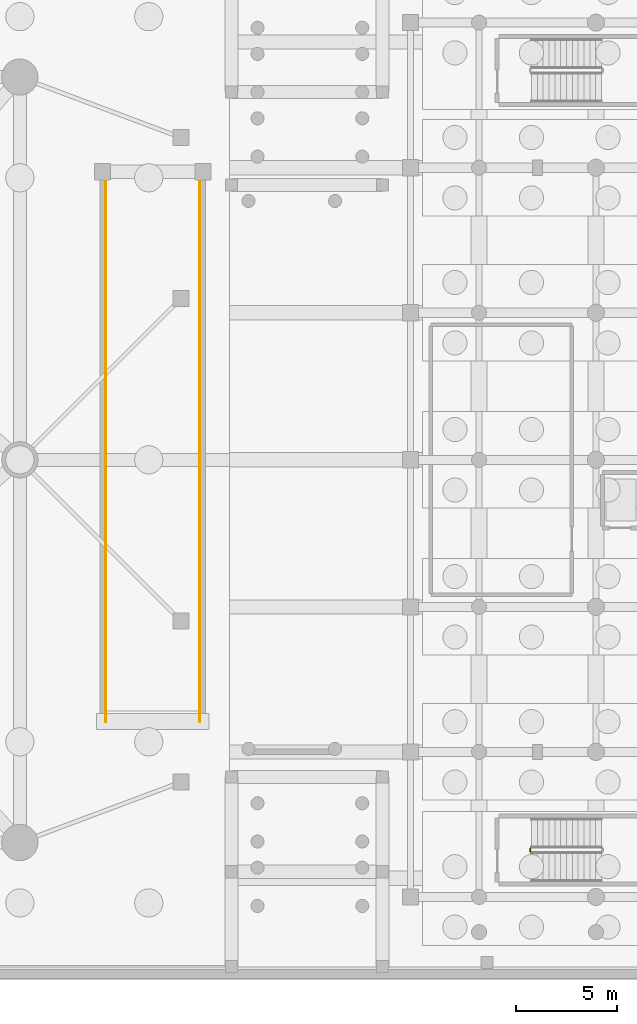
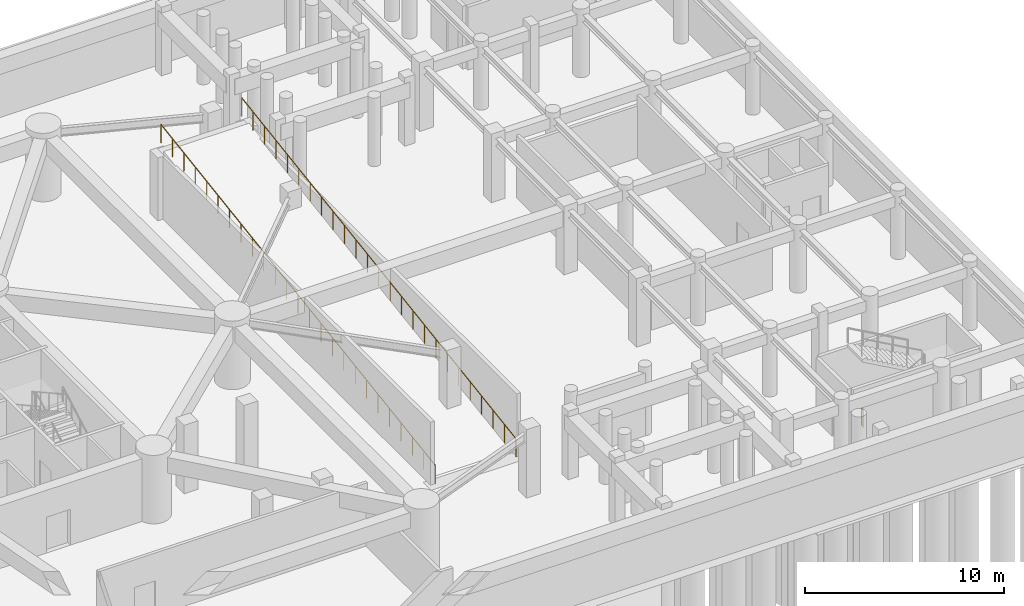
# One storey, part 10 of 13: 3 railings.
"""IFC4 building model written with IfcOpenShell, lengths in metres."""

from ifc_helpers import new_model, si_unit, direction, frame, origin, origin_2d, place, context, subcontext, project, spatial, circle, extrude, material, layer, layer_set, type_object, element, save


model = new_model("IFC4")

# Units and contexts
model_context = context("Model", 3, precision=1e-05, world=origin(), true_north=direction((0.0, 1.0)))
body_context = subcontext(model_context, "Body", "Model", "MODEL_VIEW")
ifc_project = project(units=[si_unit("LENGTHUNIT", "METRE"), si_unit("AREAUNIT", "SQUARE_METRE"), si_unit("VOLUMEUNIT", "CUBIC_METRE"), si_unit("PLANEANGLEUNIT", "RADIAN"), si_unit("MASSUNIT", "GRAM", prefix="KILO")], contexts=[model_context])

# Site, building, storey
site_placement = place(None, origin())
site = spatial("IfcSite", under=ifc_project, at=site_placement, CompositionType="ELEMENT")
building_placement = place(site_placement, origin())
building = spatial("IfcBuilding", under=site, at=building_placement, Name="Karkom Vertical University and Central Library", CompositionType="ELEMENT")
storey_placement = place(building_placement, frame((0.0, 0.0, -8.39990234375)))
storey = spatial("IfcBuildingStorey", under=building, at=storey_placement, Name="B02", CompositionType="ELEMENT", Elevation=-8.39990234375)

# Railings
ifc_material = material(Name="Painted galvanised steel balustrade", Category="steel")
ifc_layer = layer(ifc_material, 0.06005859375)
ifc_layer_set = layer_set([ifc_layer], Name="Painted galvanised steel balustrade")
railing_type = type_object("IfcRailingType", Name="INT-RL-GUARD1100", PredefinedType="GUARDRAIL", material=ifc_layer_set)
railing_1_placement = place(storey_placement, frame((72.14990234375, 7.050048828125, 0.0)))
element("IfcRailing", 1, at=railing_1_placement, inside=storey, type_object=railing_type, Name="Basement 02 LIB-ST1 stair guard 4", PredefinedType="GUARDRAIL", context=body_context, shape_type="SweptSolid", body=[
    extrude(circle(Radius=0.02392578125, at=origin_2d()), frame((0.0, 0.0, 1.076171875), z_axis=(0.0, 1.0, 0.0), x_axis=(-1.0, 0.0, 0.0)), (0.0, 0.0, 1.0), 0.159912109375),
    extrude(circle(Radius=0.02099609375, at=origin_2d()), origin(), (0.0, 0.0, 1.0), 1.052001953125),
    extrude(circle(Radius=0.02099609375, at=origin_2d()), frame((0.0, 0.159912109375, 0.0)), (0.0, 0.0, 1.0), 1.052001953125),
])
railing_2_placement = place(storey_placement, frame((51.06005859375, 13.5, 0.0)))
element("IfcRailing", 2, at=railing_2_placement, inside=storey, type_object=railing_type, Name="Basement 02 Car Park Vehicle Ramp VR-1 Flight 1 Side Safety Guard W", PredefinedType="GUARDRAIL", context=body_context, shape_type="SweptSolid", body=[
    extrude(circle(Radius=0.02392578125, at=origin_2d()), frame((0.0, 0.0, 1.1259765625), z_axis=(0.0, 0.98857849547, 0.150706862135), x_axis=(-1.0, 0.0, 0.0)), (0.0, 0.0, 1.0), 27.868408203125),
    extrude(circle(Radius=0.02099609375, at=origin_2d()), origin(), (0.0, 0.0, 1.0), 1.101806640625),
    extrude(circle(Radius=0.02099609375, at=origin_2d()), frame((0.0, 1.14794921875, 0.175048828125)), (0.0, 0.0, 1.0), 1.101806640625),
    extrude(circle(Radius=0.02099609375, at=origin_2d()), frame((0.0, 2.2958984375, 0.35009765625)), (0.0, 0.0, 1.0), 1.101806640625),
    extrude(circle(Radius=0.02099609375, at=origin_2d()), frame((0.0, 3.44384765625, 0.52490234375)), (0.0, 0.0, 1.0), 1.101806640625),
    extrude(circle(Radius=0.02099609375, at=origin_2d()), frame((0.0, 4.591796875, 0.699951171875)), (0.0, 0.0, 1.0), 1.101806640625),
    extrude(circle(Radius=0.02099609375, at=origin_2d()), frame((0.0, 5.739501953125, 0.875)), (0.0, 0.0, 1.0), 1.101806640625),
    extrude(circle(Radius=0.02099609375, at=origin_2d()), frame((0.0, 6.887451171875, 1.050048828125)), (0.0, 0.0, 1.0), 1.101806640625),
    extrude(circle(Radius=0.02099609375, at=origin_2d()), frame((0.0, 8.035400390625, 1.22509765625)), (0.0, 0.0, 1.0), 1.101806640625),
    extrude(circle(Radius=0.02099609375, at=origin_2d()), frame((0.0, 9.183349609375, 1.39990234375)), (0.0, 0.0, 1.0), 1.101806640625),
    extrude(circle(Radius=0.02099609375, at=origin_2d()), frame((0.0, 10.331298828125, 1.574951171875)), (0.0, 0.0, 1.0), 1.101806640625),
    extrude(circle(Radius=0.02099609375, at=origin_2d()), frame((0.0, 11.479248046875, 1.75)), (0.0, 0.0, 1.0), 1.101806640625),
    extrude(circle(Radius=0.02099609375, at=origin_2d()), frame((0.0, 12.627197265625, 1.925048828125)), (0.0, 0.0, 1.0), 1.101806640625),
    extrude(circle(Radius=0.02099609375, at=origin_2d()), frame((0.0, 13.77490234375, 2.10009765625)), (0.0, 0.0, 1.0), 1.101806640625),
    extrude(circle(Radius=0.02099609375, at=origin_2d()), frame((0.0, 14.9228515625, 2.27490234375)), (0.0, 0.0, 1.0), 1.101806640625),
    extrude(circle(Radius=0.02099609375, at=origin_2d()), frame((0.0, 16.07080078125, 2.449951171875)), (0.0, 0.0, 1.0), 1.101806640625),
    extrude(circle(Radius=0.02099609375, at=origin_2d()), frame((0.0, 17.21875, 2.625)), (0.0, 0.0, 1.0), 1.101806640625),
    extrude(circle(Radius=0.02099609375, at=origin_2d()), frame((0.0, 18.36669921875, 2.800048828125)), (0.0, 0.0, 1.0), 1.101806640625),
    extrude(circle(Radius=0.02099609375, at=origin_2d()), frame((0.0, 19.5146484375, 2.974853515625)), (0.0, 0.0, 1.0), 1.101806640625),
    extrude(circle(Radius=0.02099609375, at=origin_2d()), frame((0.0, 20.66259765625, 3.14990234375)), (0.0, 0.0, 1.0), 1.101806640625),
    extrude(circle(Radius=0.02099609375, at=origin_2d()), frame((0.0, 21.810546875, 3.324951171875)), (0.0, 0.0, 1.0), 1.101806640625),
    extrude(circle(Radius=0.02099609375, at=origin_2d()), frame((0.0, 22.95849609375, 3.5)), (0.0, 0.0, 1.0), 1.101806640625),
    extrude(circle(Radius=0.02099609375, at=origin_2d()), frame((0.0, 24.106201171875, 3.675048828125)), (0.0, 0.0, 1.0), 1.101806640625),
    extrude(circle(Radius=0.02099609375, at=origin_2d()), frame((0.0, 25.254150390625, 3.849853515625)), (0.0, 0.0, 1.0), 1.101806640625),
    extrude(circle(Radius=0.02099609375, at=origin_2d()), frame((0.0, 26.402099609375, 4.02490234375)), (0.0, 0.0, 1.0), 1.101806640625),
    extrude(circle(Radius=0.02099609375, at=origin_2d()), frame((0.0, 27.550048828125, 4.199951171875)), (0.0, 0.0, 1.0), 1.101806640625),
])
railing_3_placement = place(storey_placement, frame((55.739990234375, 13.5, 0.0)))
element("IfcRailing", 3, at=railing_3_placement, inside=storey, type_object=railing_type, Name="Basement 02 Car Park Vehicle Ramp VR-1 Flight 1 Side Safety Guard E", PredefinedType="GUARDRAIL", context=body_context, shape_type="SweptSolid", body=[
    extrude(circle(Radius=0.02392578125, at=origin_2d()), frame((0.0, 0.0, 1.1259765625), z_axis=(0.0, 0.98857849547, 0.150706862135), x_axis=(-1.0, 0.0, 0.0)), (0.0, 0.0, 1.0), 27.868408203125),
    extrude(circle(Radius=0.02099609375, at=origin_2d()), origin(), (0.0, 0.0, 1.0), 1.101806640625),
    extrude(circle(Radius=0.02099609375, at=origin_2d()), frame((0.0, 1.14794921875, 0.175048828125)), (0.0, 0.0, 1.0), 1.101806640625),
    extrude(circle(Radius=0.02099609375, at=origin_2d()), frame((0.0, 2.2958984375, 0.35009765625)), (0.0, 0.0, 1.0), 1.101806640625),
    extrude(circle(Radius=0.02099609375, at=origin_2d()), frame((0.0, 3.44384765625, 0.52490234375)), (0.0, 0.0, 1.0), 1.101806640625),
    extrude(circle(Radius=0.02099609375, at=origin_2d()), frame((0.0, 4.591796875, 0.699951171875)), (0.0, 0.0, 1.0), 1.101806640625),
    extrude(circle(Radius=0.02099609375, at=origin_2d()), frame((0.0, 5.739501953125, 0.875)), (0.0, 0.0, 1.0), 1.101806640625),
    extrude(circle(Radius=0.02099609375, at=origin_2d()), frame((0.0, 6.887451171875, 1.050048828125)), (0.0, 0.0, 1.0), 1.101806640625),
    extrude(circle(Radius=0.02099609375, at=origin_2d()), frame((0.0, 8.035400390625, 1.22509765625)), (0.0, 0.0, 1.0), 1.101806640625),
    extrude(circle(Radius=0.02099609375, at=origin_2d()), frame((0.0, 9.183349609375, 1.39990234375)), (0.0, 0.0, 1.0), 1.101806640625),
    extrude(circle(Radius=0.02099609375, at=origin_2d()), frame((0.0, 10.331298828125, 1.574951171875)), (0.0, 0.0, 1.0), 1.101806640625),
    extrude(circle(Radius=0.02099609375, at=origin_2d()), frame((0.0, 11.479248046875, 1.75)), (0.0, 0.0, 1.0), 1.101806640625),
    extrude(circle(Radius=0.02099609375, at=origin_2d()), frame((0.0, 12.627197265625, 1.925048828125)), (0.0, 0.0, 1.0), 1.101806640625),
    extrude(circle(Radius=0.02099609375, at=origin_2d()), frame((0.0, 13.77490234375, 2.10009765625)), (0.0, 0.0, 1.0), 1.101806640625),
    extrude(circle(Radius=0.02099609375, at=origin_2d()), frame((0.0, 14.9228515625, 2.27490234375)), (0.0, 0.0, 1.0), 1.101806640625),
    extrude(circle(Radius=0.02099609375, at=origin_2d()), frame((0.0, 16.07080078125, 2.449951171875)), (0.0, 0.0, 1.0), 1.101806640625),
    extrude(circle(Radius=0.02099609375, at=origin_2d()), frame((0.0, 17.21875, 2.625)), (0.0, 0.0, 1.0), 1.101806640625),
    extrude(circle(Radius=0.02099609375, at=origin_2d()), frame((0.0, 18.36669921875, 2.800048828125)), (0.0, 0.0, 1.0), 1.101806640625),
    extrude(circle(Radius=0.02099609375, at=origin_2d()), frame((0.0, 19.5146484375, 2.974853515625)), (0.0, 0.0, 1.0), 1.101806640625),
    extrude(circle(Radius=0.02099609375, at=origin_2d()), frame((0.0, 20.66259765625, 3.14990234375)), (0.0, 0.0, 1.0), 1.101806640625),
    extrude(circle(Radius=0.02099609375, at=origin_2d()), frame((0.0, 21.810546875, 3.324951171875)), (0.0, 0.0, 1.0), 1.101806640625),
    extrude(circle(Radius=0.02099609375, at=origin_2d()), frame((0.0, 22.95849609375, 3.5)), (0.0, 0.0, 1.0), 1.101806640625),
    extrude(circle(Radius=0.02099609375, at=origin_2d()), frame((0.0, 24.106201171875, 3.675048828125)), (0.0, 0.0, 1.0), 1.101806640625),
    extrude(circle(Radius=0.02099609375, at=origin_2d()), frame((0.0, 25.254150390625, 3.849853515625)), (0.0, 0.0, 1.0), 1.101806640625),
    extrude(circle(Radius=0.02099609375, at=origin_2d()), frame((0.0, 26.402099609375, 4.02490234375)), (0.0, 0.0, 1.0), 1.101806640625),
    extrude(circle(Radius=0.02099609375, at=origin_2d()), frame((0.0, 27.550048828125, 4.199951171875)), (0.0, 0.0, 1.0), 1.101806640625),
])

save(model, "model.ifc")
